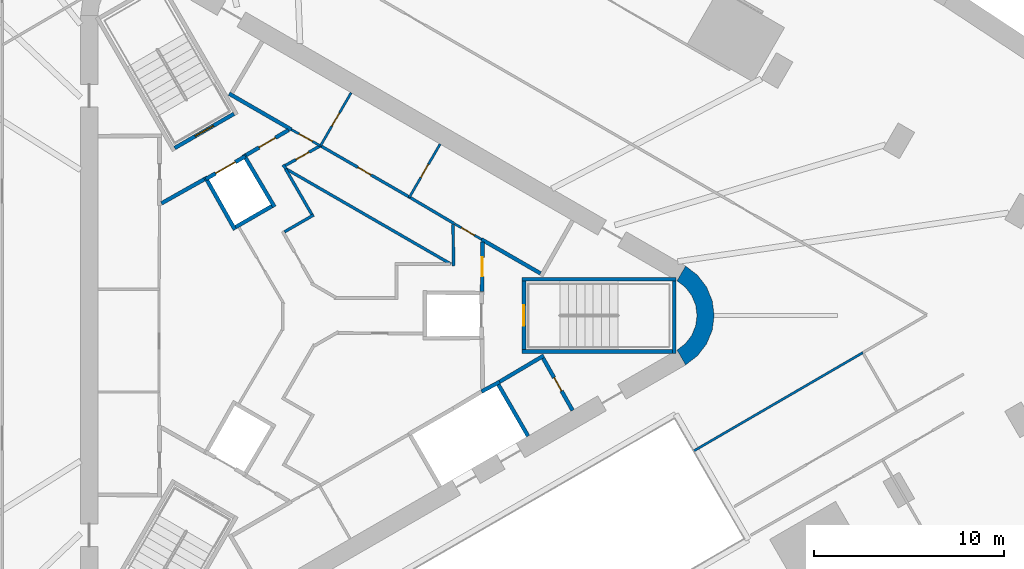
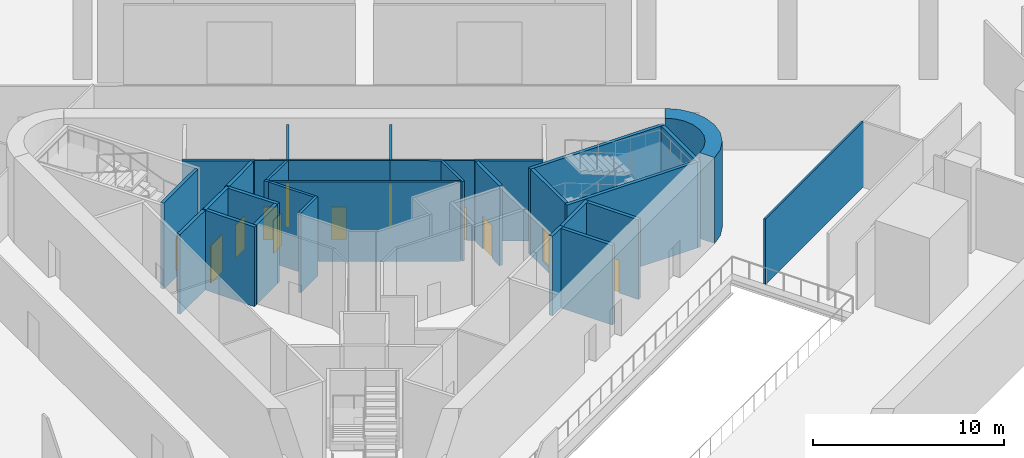
# One storey, part 7 of 13: 32 walls, 12 doors, 12 openings.
"""IFC4 building model written with IfcOpenShell, lengths in metres."""

import ifcopenshell
import ifcopenshell.guid

model = None  # the IFC model being written
_history = None  # IfcOwnerHistory: only IFC2X3 demands one
_inside = {}  # id of a spatial element -> (the spatial element, [elements in it])
_under = {}  # id of a project, library or spatial element -> (it, [spatial elements below it])
_declared = {}  # id of a project -> (the project, [libraries it declares])
_typed = {}  # id of a type object -> (the type object, [elements of that type])
_made_of = {}  # id of a material, layer set ... -> (it, [elements and type objects made of it])


def new_model(schema):
    """Start an empty IFC model of exactly this schema.

    Asked for "IFC4X3", IfcOpenShell would pick the latest addendum, in which some entities
    have other attributes; the version numbers below select the first issue.
    IFC2X3 requires an IfcOwnerHistory on every rooted entity: one is made here for all.
    """
    global model, _history
    if schema == "IFC4X3":
        model = ifcopenshell.file(schema_version=(4, 3, 0, 0))
    else:
        model = ifcopenshell.file(schema=schema)
    _inside.clear()
    _under.clear()
    _declared.clear()
    _typed.clear()
    _made_of.clear()
    _history = None
    if model.schema == "IFC2X3":
        org = make("IfcOrganization", Name="unknown")
        user = make(
            "IfcPersonAndOrganization",
            ThePerson=make("IfcPerson", FamilyName="unknown"),
            TheOrganization=org,
        )
        app = make(
            "IfcApplication",
            ApplicationDeveloper=org,
            Version="unknown",
            ApplicationFullName="unknown",
            ApplicationIdentifier="unknown",
        )
        _history = make(
            "IfcOwnerHistory",
            OwningUser=user,
            OwningApplication=app,
            ChangeAction="ADDED",
            CreationDate=0,
        )
    return model


def make(cls, **values):
    """One entity of the class cls with the attributes given. An attribute that is None is left unset."""
    return model.create_entity(
        cls, **{name: value for name, value in values.items() if value is not None}
    )


def rooted(cls, **values):
    """An entity with a GlobalId (a new one), such as an element, a storey or a relation."""
    return make(cls, GlobalId=ifcopenshell.guid.new(), OwnerHistory=_history, **values)


def si_unit(unit_type, name, prefix=None):
    """IfcSIUnit, for example si_unit("LENGTHUNIT", "METRE", prefix="MILLI")."""
    return make("IfcSIUnit", UnitType=unit_type, Prefix=prefix, Name=name)


def assignment(units):
    """IfcUnitAssignment: the units of a project."""
    return None if units is None else make("IfcUnitAssignment", Units=units)


def point(xyz):
    """IfcCartesianPoint."""
    return None if xyz is None else make("IfcCartesianPoint", Coordinates=xyz)


def direction(xyz):
    """IfcDirection."""
    return None if xyz is None else make("IfcDirection", DirectionRatios=xyz)


def frame(location, z_axis=None, x_axis=None):
    """IfcAxis2Placement3D, a coordinate frame: its origin and axes. An axis left out is left unset."""
    return make(
        "IfcAxis2Placement3D",
        Location=point(location),
        Axis=direction(z_axis),
        RefDirection=direction(x_axis),
    )


def frame_2d(location, x_axis=None):
    """IfcAxis2Placement2D, a coordinate frame in the plane: its origin and x axis."""
    return make(
        "IfcAxis2Placement2D", Location=point(location), RefDirection=direction(x_axis)
    )


def origin():
    """The frame at (0, 0, 0) with its axes left unset."""
    return frame((0.0, 0.0, 0.0))


def place(relative_to, where):
    """IfcLocalPlacement: puts the frame where relative to a parent placement (None: the world)."""
    return make(
        "IfcLocalPlacement", PlacementRelTo=relative_to, RelativePlacement=where
    )


def context(
    kind, dimensions, precision=None, world=None, true_north=None, identifier=None
):
    """IfcGeometricRepresentationContext, for example the 3D "Model" context."""
    return make(
        "IfcGeometricRepresentationContext",
        ContextIdentifier=identifier,
        ContextType=kind,
        CoordinateSpaceDimension=dimensions,
        Precision=precision,
        WorldCoordinateSystem=world,
        TrueNorth=true_north,
    )


def subcontext(parent, identifier, kind, view, scale=None):
    """IfcGeometricRepresentationSubContext, for example "Body" below "Model"."""
    return make(
        "IfcGeometricRepresentationSubContext",
        ContextIdentifier=identifier,
        ContextType=kind,
        ParentContext=parent,
        TargetScale=scale,
        TargetView=view,
    )


def project(units=None, contexts=None):
    """IfcProject with its units and contexts."""
    return rooted(
        "IfcProject",
        Name="project",
        RepresentationContexts=contexts,
        UnitsInContext=assignment(units),
    )


def spatial(cls, under=None, at=None, **own):
    """A site, building, storey or space (cls), placed at a placement, below another one or the project."""
    s = rooted(cls, ObjectPlacement=at, **own)
    if under is not None:
        _under.setdefault(under.id(), (under, []))[1].append(s)
    return s


def polyline(points):
    """IfcPolyline through the points."""
    return make("IfcPolyline", Points=[point(p) for p in points])


def profile(cls, at=None, kind="AREA", **sizes):
    """A parametric profile (cls). Its sizes go by their IFC names, for example OverallWidth=200.0."""
    return make(cls, ProfileType=kind, Position=at, **sizes)


def rectangle(**sizes):
    """IfcRectangleProfileDef."""
    return profile("IfcRectangleProfileDef", **sizes)


def outline(outer, holes=None, kind="AREA"):
    """IfcArbitraryClosedProfileDef: a profile drawn as a closed curve; with holes, ...WithVoids."""
    if holes is None:
        return make("IfcArbitraryClosedProfileDef", ProfileType=kind, OuterCurve=outer)
    return make(
        "IfcArbitraryProfileDefWithVoids",
        ProfileType=kind,
        OuterCurve=outer,
        InnerCurves=holes,
    )


def extrude(swept, where, along, depth):
    """IfcExtrudedAreaSolid: the profile swept, set in the frame where, extruded along a direction by depth."""
    return make(
        "IfcExtrudedAreaSolid",
        SweptArea=swept,
        Position=where,
        ExtrudedDirection=direction(along),
        Depth=depth,
    )


def shape(context_of_items, identifier, shape_type, items):
    """IfcShapeRepresentation: the items that make up one representation, for example the "Body"."""
    return make(
        "IfcShapeRepresentation",
        ContextOfItems=context_of_items,
        RepresentationIdentifier=identifier,
        RepresentationType=shape_type,
        Items=items,
    )


def material(Name=None, Category=None):
    """IfcMaterial."""
    return make("IfcMaterial", Name=Name, Category=Category)


def layer(
    of_material, thickness, ventilated=None, Name=None, Category=None, Priority=None
):
    """IfcMaterialLayer: one layer of a wall or slab, of a material (None: an air gap)."""
    return make(
        "IfcMaterialLayer",
        Material=of_material,
        LayerThickness=thickness,
        IsVentilated=ventilated,
        Name=Name,
        Category=Category,
        Priority=Priority,
    )


def layer_set(layers, Name=None):
    """IfcMaterialLayerSet."""
    return make("IfcMaterialLayerSet", MaterialLayers=layers, LayerSetName=Name)


def made_of(thing, what):
    """Note that an element or type object is made of a material, layer set ...; save() writes the relation."""
    if what is not None:
        _made_of.setdefault(what.id(), (what, []))[1].append(thing)
    return thing


def type_object(cls, material=None, **own):
    """A type object (cls), such as IfcWallType, which elements share."""
    return made_of(rooted(cls, **own), material)


def element(
    cls,
    number,
    at=None,
    inside=None,
    cuts=None,
    type_object=None,
    material=None,
    context=None,
    identifier="Body",
    shape_type=None,
    held_by="IfcProductDefinitionShape",
    body=None,
    shapes=None,
    **own,
):
    """One element of the class cls, such as IfcWall. Its Tag is "e" and its number.

    at: its placement. inside: the storey or other place that contains it. cuts: it is an
    opening in that element (IfcRelVoidsElement). A single representation is given by context,
    identifier, shape_type and body (its items); several are given by shapes. held_by: the class
    of the entity that holds the representations. save() writes the other relations.
    """
    e = rooted(cls, Tag="e%d" % number, ObjectPlacement=at, **own)
    if body is not None:
        shapes = [shape(context, identifier, shape_type, body)]
    if shapes is not None:
        e.Representation = make(held_by, Representations=shapes)
    if inside is not None:
        _inside.setdefault(inside.id(), (inside, []))[1].append(e)
    if cuts is not None:
        rooted(
            "IfcRelVoidsElement", RelatingBuildingElement=cuts, RelatedOpeningElement=e
        )
    if type_object is not None:
        _typed.setdefault(type_object.id(), (type_object, []))[1].append(e)
    return made_of(e, material)


def fill(opening, filler):
    """IfcRelFillsElement: the door or window that sits in an opening."""
    return rooted(
        "IfcRelFillsElement",
        RelatingOpeningElement=opening,
        RelatedBuildingElement=filler,
    )


def aggregate(whole, parts):
    """IfcRelAggregates: a whole, such as a stair, and the parts it consists of."""
    return rooted("IfcRelAggregates", RelatingObject=whole, RelatedObjects=parts)


def save(model, path):
    """Write the relations noted so far, then the file.

    IfcRelAggregates (storeys below a building ...), IfcRelContainedInSpatialStructure (elements
    in a storey), IfcRelDefinesByType, IfcRelAssociatesMaterial and IfcRelDeclares: one each for
    every whole, place, type object, material and project.
    """
    for whole, parts in _under.values():
        aggregate(whole, parts)
    for where, things in _inside.values():
        rooted(
            "IfcRelContainedInSpatialStructure",
            RelatedElements=things,
            RelatingStructure=where,
        )
    for kind, things in _typed.values():
        rooted("IfcRelDefinesByType", RelatedObjects=things, RelatingType=kind)
    for what, things in _made_of.values():
        rooted("IfcRelAssociatesMaterial", RelatedObjects=things, RelatingMaterial=what)
    for by, libraries in _declared.values():
        rooted("IfcRelDeclares", RelatingContext=by, RelatedDefinitions=libraries)
    model.write(path)


model = new_model("IFC4")

# Units and contexts
model_context = context("Model", 3, precision=1e-05, world=origin(), true_north=direction((0.0, 1.0)))
body_context = subcontext(model_context, "Body", "Model", "MODEL_VIEW")
ifc_project = project(units=[si_unit("LENGTHUNIT", "METRE"), si_unit("AREAUNIT", "SQUARE_METRE"), si_unit("VOLUMEUNIT", "CUBIC_METRE"), si_unit("PLANEANGLEUNIT", "RADIAN"), si_unit("MASSUNIT", "GRAM", prefix="KILO")], contexts=[model_context])

# Site, building, storey
site_placement = place(None, origin())
site = spatial("IfcSite", under=ifc_project, at=site_placement, CompositionType="ELEMENT")
building_placement = place(site_placement, origin())
building = spatial("IfcBuilding", under=site, at=building_placement, Name="Tanit Gate Tower", CompositionType="ELEMENT")
storey_placement = place(building_placement, frame((0.0, 0.0, -5.5)))
storey = spatial("IfcBuildingStorey", under=building, at=storey_placement, Name="B1", CompositionType="ELEMENT", Elevation=-5.5)

# Walls
ifc_material_1 = material(Name="Concrete C60/75", Category="concrete")
ifc_layer_1 = layer(ifc_material_1, 0.89990234375)
ifc_layer_set_1 = layer_set([ifc_layer_1], Name="CORE WALL 900 C60/75")
wall_type_1 = type_object("IfcWallType", Name="CORE WALL 900 C60/75", PredefinedType="SHEAR", material=ifc_layer_set_1)
wall_1_placement = place(storey_placement, origin())
element("IfcWall", 1, at=wall_1_placement, inside=storey, type_object=wall_type_1, Name="CORE WALL CORNER", PredefinedType="SHEAR", context=body_context, shape_type="SweptSolid", body=[
    extrude(outline(polyline([(19.699951171875, -2.59814453125), (20.3212890625, -2.121337890625), (20.798095703125, -1.5), (21.097900390625, -0.776611328125), (21.199951171875, 0.0), (21.097900390625, 0.776611328125), (20.798095703125, 1.5), (20.3212890625, 2.121337890625), (19.699951171875, 2.59814453125), (19.25, 1.818603515625), (19.684814453125, 1.48486328125), (20.018798828125, 1.050048828125), (20.228515625, 0.54345703125), (20.300048828125, 0.0), (20.228515625, -0.54345703125), (20.018798828125, -1.050048828125), (19.684814453125, -1.48486328125), (19.25, -1.818603515625), (19.699951171875, -2.59814453125)])), origin(), (0.0, 0.0, 1.0), 5.5),
])
ifc_material_2 = material(Name="Fire-rated gypsum board partition")
ifc_layer_2 = layer(ifc_material_2, 0.199951171875)
ifc_layer_set_2 = layer_set([ifc_layer_2], Name="INT-WALL-COMPARTMENT")
wall_type_2 = type_object("IfcWallType", Name="INT-WALL-COMPARTMENT", PredefinedType="PARTITIONING", material=ifc_layer_set_2)
wall_2_placement = place(storey_placement, frame((-4.295654296875, 11.659912109375, 0.0), z_axis=(0.0, 0.0, 1.0), x_axis=(0.866027389382, -0.499996560828, 0.0)))
element("IfcWall", 2, at=wall_2_placement, inside=storey, type_object=wall_type_2, Name="Wall Compartment W049", PredefinedType="PARTITIONING", context=body_context, shape_type="SweptSolid", body=[
    extrude(rectangle(XDim=3.77783203125, YDim=0.199951171875, at=frame_2d((1.888916015625, 0.0))), origin(), (0.0, 0.0, 1.0), 5.10009765625),
])
wall_3_placement = place(storey_placement, frame((8.97412109375, 3.998779296875, 0.0), z_axis=(0.0, 0.0, 1.0), x_axis=(0.86601284211, -0.500021756827, 0.0)))
element("IfcWall", 3, at=wall_3_placement, inside=storey, type_object=wall_type_2, Name="Wall Compartment W044", PredefinedType="PARTITIONING", context=body_context, shape_type="SweptSolid", body=[
    extrude(rectangle(XDim=3.577392578125, YDim=0.199951171875, at=frame_2d((1.78857421875, 0.0))), origin(), (0.0, 0.0, 1.0), 5.10009765625),
])
wall_4_placement = place(storey_placement, frame((12.244873046875, -2.10888671875, 0.0), z_axis=(0.0, 0.0, 1.0), x_axis=(-0.860414880418, -0.509594185166, 0.0)))
element("IfcWall", 4, at=wall_4_placement, inside=storey, type_object=wall_type_2, Name="Wall Compartment W057", PredefinedType="PARTITIONING", context=body_context, shape_type="SweptSolid", body=[
    extrude(rectangle(XDim=2.7001953125, YDim=0.199951171875, at=frame_2d((1.35009765625, 0.0))), origin(), (0.0, 0.0, 1.0), 5.10009765625),
])

# Wall, opening, door
wall_5_placement = place(storey_placement, frame((13.758056640625, -4.989501953125, 0.0), z_axis=(0.0, 0.0, 1.0), x_axis=(-0.491993409184, 0.87059892334, 0.0)))
wall_5 = element("IfcWall", 5, at=wall_5_placement, inside=storey, type_object=wall_type_2, Name="Wall Compartment W058", PredefinedType="PARTITIONING", context=body_context, shape_type="SweptSolid", body=[
    extrude(rectangle(XDim=3.150146484375, YDim=0.199951171875, at=frame_2d((1.5751953125, 0.0))), origin(), (0.0, 0.0, 1.0), 5.10009765625),
])
opening_1_placement = place(wall_5_placement, frame((1.175048828125, 0.0, 0.0)))
opening_1 = element("IfcOpeningElement", 6, at=opening_1_placement, cuts=wall_5, Name="Opening R08-B1-22", PredefinedType="OPENING", context=body_context, shape_type="SweptSolid", body=[
    extrude(rectangle(XDim=0.800048828125, YDim=2.10009765625, at=frame_2d((0.39990234375, 1.050048828125))), frame((0.0, 0.10986328125, 0.0), z_axis=(0.0, -1.0, 0.0), x_axis=(1.0, 0.0, 0.0)), (0.0, 0.0, 1.0), 0.219970703125),
])
ifc_material_3 = material(Name="Timber door leaf", Category="wood")
door_type_1 = type_object("IfcDoorType", Name="INT-DOOR-RISER-800", OperationType="NOTDEFINED", PredefinedType="USERDEFINED", material=ifc_material_3)
door_1_placement = place(opening_1_placement, origin())
door_1 = element("IfcDoor", 7, at=door_1_placement, inside=storey, type_object=door_type_1, Name="Door R08-B1-22", ObjectType="FIRE DOOR", OperationType="SINGLE_SWING_RIGHT", OverallHeight=2.10009765625, OverallWidth=0.800048828125, PredefinedType="USERDEFINED", context=body_context, shape_type="SweptSolid", body=[
    extrude(rectangle(XDim=0.800048828125, YDim=2.10009765625, at=frame_2d((0.39990234375, 1.050048828125))), frame((0.0, 0.02490234375, 0.0), z_axis=(0.0, -1.0, 0.0), x_axis=(1.0, 0.0, 0.0)), (0.0, 0.0, 1.0), 0.050048828125),
])
fill(opening_1, door_1)

wall_6_placement = place(storey_placement, frame((9.0009765625, 1.27001953125, 0.0), z_axis=(0.0, 0.0, 1.0), x_axis=(0.010780534828, 0.999941888346, 0.0)))
wall_6 = element("IfcWall", 8, at=wall_6_placement, inside=storey, type_object=wall_type_2, Name="Wall Compartment W060", PredefinedType="PARTITIONING", context=body_context, shape_type="SweptSolid", body=[
    extrude(rectangle(XDim=2.581787109375, YDim=0.199951171875, at=frame_2d((1.291015625, 0.0))), origin(), (0.0, 0.0, 1.0), 5.10009765625),
])
opening_2_placement = place(wall_6_placement, frame((0.791015625, 0.0, 0.0)))
opening_2 = element("IfcOpeningElement", 9, at=opening_2_placement, cuts=wall_6, Name="Opening F10-B1-02", PredefinedType="OPENING", context=body_context, shape_type="SweptSolid", body=[
    extrude(rectangle(XDim=1.0, YDim=2.10009765625, at=frame_2d((0.5, 1.050048828125))), frame((0.0, 0.10986328125, 0.0), z_axis=(0.0, -1.0, 0.0), x_axis=(1.0, 0.0, 0.0)), (0.0, 0.0, 1.0), 0.219970703125),
])
ifc_material_4 = material(Name="Fire-rated steel door leaf", Category="steel")
door_type_2 = type_object("IfcDoorType", Name="INT-DOOR-FIRE-1000", OperationType="NOTDEFINED", PredefinedType="USERDEFINED", material=ifc_material_4)
door_2_placement = place(opening_2_placement, origin())
door_2 = element("IfcDoor", 10, at=door_2_placement, inside=storey, type_object=door_type_2, Name="Door F10-B1-02", ObjectType="FIRE DOOR", OperationType="SINGLE_SWING_RIGHT", OverallHeight=2.10009765625, OverallWidth=1.0, PredefinedType="USERDEFINED", context=body_context, shape_type="SweptSolid", body=[
    extrude(rectangle(XDim=1.0, YDim=2.10009765625, at=frame_2d((0.5, 1.050048828125))), frame((0.0, 0.02490234375, 0.0), z_axis=(0.0, -1.0, 0.0), x_axis=(1.0, 0.0, 0.0)), (0.0, 0.0, 1.0), 0.050048828125),
])
fill(opening_2, door_2)

# Wall
wall_7_placement = place(storey_placement, frame((-5.600341796875, 7.16015625, 0.0), z_axis=(0.0, 0.0, 1.0), x_axis=(-0.871350695252, -0.490660744185, 0.0)))
element("IfcWall", 11, at=wall_7_placement, inside=storey, type_object=wall_type_2, Name="Wall Compartment W061", PredefinedType="PARTITIONING", context=body_context, shape_type="SweptSolid", body=[
    extrude(rectangle(XDim=2.58203125, YDim=0.199951171875, at=frame_2d((1.291015625, 0.0))), origin(), (0.0, 0.0, 1.0), 5.10009765625),
])

# Wall, opening, door
wall_8_placement = place(storey_placement, frame((-1.1787109375, 9.744873046875, 0.0), z_axis=(0.0, 0.0, 1.0), x_axis=(-0.860630814782, -0.509229418482, 0.0)))
wall_8 = element("IfcWall", 12, at=wall_8_placement, inside=storey, type_object=wall_type_2, Name="Wall Compartment W062", PredefinedType="PARTITIONING", context=body_context, shape_type="SweptSolid", body=[
    extrude(rectangle(XDim=2.581787109375, YDim=0.199951171875, at=frame_2d((1.291015625, 0.0))), origin(), (0.0, 0.0, 1.0), 5.10009765625),
])
opening_3_placement = place(wall_8_placement, frame((0.791015625, 0.0, 0.0)))
opening_3 = element("IfcOpeningElement", 13, at=opening_3_placement, cuts=wall_8, Name="Opening F10-B1-05", PredefinedType="OPENING", context=body_context, shape_type="SweptSolid", body=[
    extrude(rectangle(XDim=1.0, YDim=2.10009765625, at=frame_2d((0.5, 1.050048828125))), frame((0.0, 0.10986328125, 0.0), z_axis=(0.0, -1.0, 0.0), x_axis=(1.0, 0.0, 0.0)), (0.0, 0.0, 1.0), 0.219970703125),
])
door_3_placement = place(opening_3_placement, origin())
door_3 = element("IfcDoor", 14, at=door_3_placement, inside=storey, type_object=door_type_2, Name="Door F10-B1-05", ObjectType="FIRE DOOR", OperationType="SINGLE_SWING_RIGHT", OverallHeight=2.10009765625, OverallWidth=1.0, PredefinedType="USERDEFINED", context=body_context, shape_type="SweptSolid", body=[
    extrude(rectangle(XDim=1.0, YDim=2.10009765625, at=frame_2d((0.5, 1.050048828125))), frame((0.0, 0.02490234375, 0.0), z_axis=(0.0, -1.0, 0.0), x_axis=(1.0, 0.0, 0.0)), (0.0, 0.0, 1.0), 0.050048828125),
])
fill(opening_3, door_3)

ifc_material_5 = material(Name="Gypsum board partition")
ifc_layer_3 = layer(ifc_material_5, 0.1201171875)
ifc_layer_set_3 = layer_set([ifc_layer_3], Name="INT-WALL-PARTITION")
wall_type_3 = type_object("IfcWallType", Name="INT-WALL-PARTITION", PredefinedType="PARTITIONING", material=ifc_layer_set_3)
wall_9_placement = place(storey_placement, frame((6.795166015625, 9.009521484375, 0.0), z_axis=(0.0, 0.0, 1.0), x_axis=(-0.499984717929, -0.866034226713, 0.0)))
wall_9 = element("IfcWall", 15, at=wall_9_placement, inside=storey, type_object=wall_type_3, Name="Wall Partition W042", PredefinedType="PARTITIONING", context=body_context, shape_type="SweptSolid", body=[
    extrude(rectangle(XDim=3.25, YDim=0.1201171875, at=frame_2d((1.625, 0.0))), origin(), (0.0, 0.0, 1.0), 5.10009765625),
])
opening_4_placement = place(wall_9_placement, frame((1.22509765625, 0.0, 0.0)))
opening_4 = element("IfcOpeningElement", 16, at=opening_4_placement, cuts=wall_9, Name="Opening R08-B1-48", PredefinedType="OPENING", context=body_context, shape_type="SweptSolid", body=[
    extrude(rectangle(XDim=0.800048828125, YDim=2.10009765625, at=frame_2d((0.39990234375, 1.050048828125))), frame((0.0, 0.070068359375, 0.0), z_axis=(0.0, -1.0, 0.0), x_axis=(1.0, 0.0, 0.0)), (0.0, 0.0, 1.0), 0.14013671875),
])
door_4_placement = place(opening_4_placement, origin())
door_4 = element("IfcDoor", 17, at=door_4_placement, inside=storey, type_object=door_type_1, Name="Door R08-B1-48", ObjectType="FIRE DOOR", OperationType="SINGLE_SWING_RIGHT", OverallHeight=2.10009765625, OverallWidth=0.800048828125, PredefinedType="USERDEFINED", context=body_context, shape_type="SweptSolid", body=[
    extrude(rectangle(XDim=0.800048828125, YDim=2.10009765625, at=frame_2d((0.39990234375, 1.050048828125))), frame((0.0, 0.02490234375, 0.0), z_axis=(0.0, -1.0, 0.0), x_axis=(1.0, 0.0, 0.0)), (0.0, 0.0, 1.0), 0.050048828125),
])
fill(opening_4, door_4)

wall_10_placement = place(storey_placement, frame((7.550048828125, 4.82080078125, 0.0), z_axis=(0.0, 0.0, 1.0), x_axis=(0.866069384335, -0.499923815713, 0.0)))
wall_10 = element("IfcWall", 18, at=wall_10_placement, inside=storey, type_object=wall_type_3, Name="Wall Partition W046", PredefinedType="PARTITIONING", context=body_context, shape_type="SweptSolid", body=[
    extrude(rectangle(XDim=1.644287109375, YDim=0.1201171875, at=frame_2d((0.822265625, 0.0))), origin(), (0.0, 0.0, 1.0), 5.10009765625),
])
opening_5_placement = place(wall_10_placement, frame((0.422119140625, 0.0, 0.0)))
opening_5 = element("IfcOpeningElement", 19, at=opening_5_placement, cuts=wall_10, Name="Opening R08-B1-17", PredefinedType="OPENING", context=body_context, shape_type="SweptSolid", body=[
    extrude(rectangle(XDim=0.800048828125, YDim=2.10009765625, at=frame_2d((0.39990234375, 1.050048828125))), frame((0.0, 0.070068359375, 0.0), z_axis=(0.0, -1.0, 0.0), x_axis=(1.0, 0.0, 0.0)), (0.0, 0.0, 1.0), 0.14013671875),
])
door_5_placement = place(opening_5_placement, origin())
door_5 = element("IfcDoor", 20, at=door_5_placement, inside=storey, type_object=door_type_1, Name="Door R08-B1-17", ObjectType="FIRE DOOR", OperationType="SINGLE_SWING_LEFT", OverallHeight=2.10009765625, OverallWidth=0.800048828125, PredefinedType="USERDEFINED", context=body_context, shape_type="SweptSolid", body=[
    extrude(rectangle(XDim=0.800048828125, YDim=2.10009765625, at=frame_2d((0.39990234375, 1.050048828125))), frame((0.0, 0.02490234375, 0.0), z_axis=(0.0, -1.0, 0.0), x_axis=(1.0, 0.0, 0.0)), (0.0, 0.0, 1.0), 0.050048828125),
])
fill(opening_5, door_5)

wall_11_placement = place(storey_placement, frame((2.11865234375, 11.70947265625, 0.0), z_axis=(0.0, 0.0, 1.0), x_axis=(-0.500017246033, -0.866015446554, 0.0)))
wall_11 = element("IfcWall", 21, at=wall_11_placement, inside=storey, type_object=wall_type_3, Name="Wall Partition W047", PredefinedType="PARTITIONING", context=body_context, shape_type="SweptSolid", body=[
    extrude(rectangle(XDim=3.25, YDim=0.1201171875, at=frame_2d((1.625, 0.0))), origin(), (0.0, 0.0, 1.0), 5.10009765625),
])
opening_6_placement = place(wall_11_placement, frame((1.22509765625, 0.0, 0.0)))
opening_6 = element("IfcOpeningElement", 22, at=opening_6_placement, cuts=wall_11, Name="Opening R08-B1-18", PredefinedType="OPENING", context=body_context, shape_type="SweptSolid", body=[
    extrude(rectangle(XDim=0.800048828125, YDim=2.10009765625, at=frame_2d((0.39990234375, 1.050048828125))), frame((0.0, 0.070068359375, 0.0), z_axis=(0.0, -1.0, 0.0), x_axis=(1.0, 0.0, 0.0)), (0.0, 0.0, 1.0), 0.14013671875),
])
door_6_placement = place(opening_6_placement, origin())
door_6 = element("IfcDoor", 23, at=door_6_placement, inside=storey, type_object=door_type_1, Name="Door R08-B1-18", ObjectType="FIRE DOOR", OperationType="SINGLE_SWING_RIGHT", OverallHeight=2.10009765625, OverallWidth=0.800048828125, PredefinedType="USERDEFINED", context=body_context, shape_type="SweptSolid", body=[
    extrude(rectangle(XDim=0.800048828125, YDim=2.10009765625, at=frame_2d((0.39990234375, 1.050048828125))), frame((0.0, 0.02490234375, 0.0), z_axis=(0.0, -1.0, 0.0), x_axis=(1.0, 0.0, 0.0)), (0.0, 0.0, 1.0), 0.050048828125),
])
fill(opening_6, door_6)

wall_12_placement = place(storey_placement, frame((-1.023681640625, 9.771728515625, 0.0), z_axis=(0.0, 0.0, 1.0), x_axis=(0.871968924608, -0.489561226527, 0.0)))
wall_12 = element("IfcWall", 24, at=wall_12_placement, inside=storey, type_object=wall_type_3, Name="Wall Partition W051", PredefinedType="PARTITIONING", context=body_context, shape_type="SweptSolid", body=[
    extrude(rectangle(XDim=1.722412109375, YDim=0.1201171875, at=frame_2d((0.861328125, 0.0))), origin(), (0.0, 0.0, 1.0), 5.10009765625),
])
opening_7_placement = place(wall_12_placement, frame((0.461181640625, 0.0, 0.0)))
opening_7 = element("IfcOpeningElement", 25, at=opening_7_placement, cuts=wall_12, Name="Opening R08-B1-19", PredefinedType="OPENING", context=body_context, shape_type="SweptSolid", body=[
    extrude(rectangle(XDim=0.800048828125, YDim=2.10009765625, at=frame_2d((0.39990234375, 1.050048828125))), frame((0.0, 0.070068359375, 0.0), z_axis=(0.0, -1.0, 0.0), x_axis=(1.0, 0.0, 0.0)), (0.0, 0.0, 1.0), 0.14013671875),
])
door_7_placement = place(opening_7_placement, origin())
door_7 = element("IfcDoor", 26, at=door_7_placement, inside=storey, type_object=door_type_1, Name="Door R08-B1-19", ObjectType="FIRE DOOR", OperationType="SINGLE_SWING_RIGHT", OverallHeight=2.10009765625, OverallWidth=0.800048828125, PredefinedType="USERDEFINED", context=body_context, shape_type="SweptSolid", body=[
    extrude(rectangle(XDim=0.800048828125, YDim=2.10009765625, at=frame_2d((0.39990234375, 1.050048828125))), frame((0.0, 0.02490234375, 0.0), z_axis=(0.0, -1.0, 0.0), x_axis=(1.0, 0.0, 0.0)), (0.0, 0.0, 1.0), 0.050048828125),
])
fill(opening_7, door_7)

# Walls
wall_13_placement = place(storey_placement, frame((20.11474609375, -7.127685546875, 0.0), z_axis=(0.0, 0.0, 1.0), x_axis=(0.864567321734, 0.502517010847, 0.0)))
element("IfcWall", 27, at=wall_13_placement, inside=storey, type_object=wall_type_3, Name="Wall Partition W088", PredefinedType="PARTITIONING", context=body_context, shape_type="SweptSolid", body=[
    extrude(rectangle(XDim=10.29638671875, YDim=0.1201171875, at=frame_2d((5.148193359375, 0.0))), origin(), (0.0, 0.0, 1.0), 4.179931640625),
])
ifc_material_6 = material(Name="Fire-rated gypsum board partition")
ifc_layer_4 = layer(ifc_material_6, 0.14990234375)
ifc_layer_set_4 = layer_set([ifc_layer_4], Name="INT-WALL-RISER")
wall_type_4 = type_object("IfcWallType", Name="INT-WALL-RISER", PredefinedType="PLUMBINGWALL", material=ifc_layer_set_4)
wall_14_placement = place(storey_placement, frame((5.1591796875, 6.23583984375, 0.0), z_axis=(0.0, 0.0, 1.0), x_axis=(0.860550523279, -0.509365091938, 0.0)))
element("IfcWall", 28, at=wall_14_placement, inside=storey, type_object=wall_type_4, Name="Wall Riser W045", PredefinedType="PLUMBINGWALL", context=body_context, shape_type="SweptSolid", body=[
    extrude(rectangle(XDim=2.755126953125, YDim=0.14990234375, at=frame_2d((1.37744140625, 0.0))), origin(), (0.0, 0.0, 1.0), 5.10009765625),
])

# Wall, opening, door
wall_15_placement = place(storey_placement, frame((5.1591796875, 6.23583984375, 0.0), z_axis=(0.0, 0.0, 1.0), x_axis=(-0.866028230842, 0.499995103361, 0.0)))
wall_15 = element("IfcWall", 29, at=wall_15_placement, inside=storey, type_object=wall_type_4, Name="Wall Riser W048", PredefinedType="PLUMBINGWALL", context=body_context, shape_type="SweptSolid", body=[
    extrude(rectangle(XDim=5.39990234375, YDim=0.14990234375, at=frame_2d((2.699951171875, 0.0))), origin(), (0.0, 0.0, 1.0), 5.10009765625),
])
opening_8_placement = place(wall_15_placement, frame((2.300048828125, 0.0, 0.0)))
opening_8 = element("IfcOpeningElement", 30, at=opening_8_placement, cuts=wall_15, Name="Opening R08-B1-23", PredefinedType="OPENING", context=body_context, shape_type="SweptSolid", body=[
    extrude(rectangle(XDim=0.800048828125, YDim=2.10009765625, at=frame_2d((0.39990234375, 1.050048828125))), frame((0.0, 0.0849609375, 0.0), z_axis=(0.0, -1.0, 0.0), x_axis=(1.0, 0.0, 0.0)), (0.0, 0.0, 1.0), 0.169921875),
])
door_8_placement = place(opening_8_placement, origin())
door_8 = element("IfcDoor", 31, at=door_8_placement, inside=storey, type_object=door_type_1, Name="Door R08-B1-23", ObjectType="FIRE DOOR", OperationType="SINGLE_SWING_RIGHT", OverallHeight=2.10009765625, OverallWidth=0.800048828125, PredefinedType="USERDEFINED", context=body_context, shape_type="SweptSolid", body=[
    extrude(rectangle(XDim=0.800048828125, YDim=2.10009765625, at=frame_2d((0.39990234375, 1.050048828125))), frame((0.0, 0.02490234375, 0.0), z_axis=(0.0, -1.0, 0.0), x_axis=(1.0, 0.0, 0.0)), (0.0, 0.0, 1.0), 0.050048828125),
])
fill(opening_8, door_8)

# Walls
wall_16_placement = place(storey_placement, frame((7.36669921875, 2.699951171875, 0.0), z_axis=(0.0, 0.0, 1.0), x_axis=(-0.866027158831, 0.499996960157, 0.0)))
element("IfcWall", 32, at=wall_16_placement, inside=storey, type_object=wall_type_4, Name="Wall Riser W074", PredefinedType="PLUMBINGWALL", context=body_context, shape_type="SweptSolid", body=[
    extrude(rectangle(XDim=10.0595703125, YDim=0.14990234375, at=frame_2d((5.02978515625, 0.0))), origin(), (0.0, 0.0, 1.0), 5.10009765625),
])
wall_17_placement = place(storey_placement, frame((-1.465087890625, 7.9140625, 0.0), z_axis=(0.0, 0.0, 1.0), x_axis=(0.613555553277, -0.789651557994, 0.0)))
element("IfcWall", 33, at=wall_17_placement, inside=storey, type_object=wall_type_4, Name="Wall Riser W075", PredefinedType="PLUMBINGWALL", context=body_context, shape_type="SweptSolid", body=[
    extrude(rectangle(XDim=0.263427734375, YDim=0.14990234375, at=frame_2d((0.1318359375, 0.0))), origin(), (0.0, 0.0, 1.0), 5.10009765625),
])

# Wall, opening, door
wall_18_placement = place(storey_placement, frame((0.475341796875, 8.9052734375, 0.0), z_axis=(0.0, 0.0, 1.0), x_axis=(-0.871859457225, -0.489756150392, 0.0)))
wall_18 = element("IfcWall", 34, at=wall_18_placement, inside=storey, type_object=wall_type_4, Name="Wall Riser W076", PredefinedType="PLUMBINGWALL", context=body_context, shape_type="SweptSolid", body=[
    extrude(rectangle(XDim=2.088623046875, YDim=0.14990234375, at=frame_2d((1.04443359375, 0.0))), origin(), (0.0, 0.0, 1.0), 5.10009765625),
])
opening_9_placement = place(wall_18_placement, frame((0.644287109375, 0.0, 0.0)))
opening_9 = element("IfcOpeningElement", 35, at=opening_9_placement, cuts=wall_18, Name="Opening R08-B1-12", PredefinedType="OPENING", context=body_context, shape_type="SweptSolid", body=[
    extrude(rectangle(XDim=0.800048828125, YDim=2.10009765625, at=frame_2d((0.39990234375, 1.050048828125))), frame((0.0, 0.0849609375, 0.0), z_axis=(0.0, -1.0, 0.0), x_axis=(1.0, 0.0, 0.0)), (0.0, 0.0, 1.0), 0.169921875),
])
door_9_placement = place(opening_9_placement, origin())
door_9 = element("IfcDoor", 36, at=door_9_placement, inside=storey, type_object=door_type_1, Name="Door R08-B1-12", ObjectType="FIRE DOOR", OperationType="SINGLE_SWING_LEFT", OverallHeight=2.10009765625, OverallWidth=0.800048828125, PredefinedType="USERDEFINED", context=body_context, shape_type="SweptSolid", body=[
    extrude(rectangle(XDim=0.800048828125, YDim=2.10009765625, at=frame_2d((0.39990234375, 1.050048828125))), frame((0.0, 0.02490234375, 0.0), z_axis=(0.0, -1.0, 0.0), x_axis=(1.0, 0.0, 0.0)), (0.0, 0.0, 1.0), 0.050048828125),
])
fill(opening_9, door_9)

# Walls
wall_19_placement = place(storey_placement, frame((7.5009765625, 2.613037109375, 0.0), z_axis=(0.0, 0.0, 1.0), x_axis=(-0.011734691853, 0.999931146133, 0.0)))
element("IfcWall", 37, at=wall_19_placement, inside=storey, type_object=wall_type_4, Name="Wall Riser W077", PredefinedType="PLUMBINGWALL", context=body_context, shape_type="SweptSolid", body=[
    extrude(rectangle(XDim=2.163818359375, YDim=0.14990234375, at=frame_2d((1.08203125, 0.0))), origin(), (0.0, 0.0, 1.0), 5.10009765625),
])
wall_20_placement = place(storey_placement, frame((0.1533203125, 5.28466796875, 0.0), z_axis=(0.0, 0.0, 1.0), x_axis=(-0.866059624469, -0.499940723351, 0.0)))
element("IfcWall", 38, at=wall_20_placement, inside=storey, type_object=wall_type_4, Name="Wall Riser W084", PredefinedType="PLUMBINGWALL", context=body_context, shape_type="SweptSolid", body=[
    extrude(rectangle(XDim=1.775146484375, YDim=0.14990234375, at=frame_2d((0.8876953125, 0.0))), origin(), (0.0, 0.0, 1.0), 5.10009765625),
])
wall_21_placement = place(storey_placement, frame((-1.330078125, 7.703857421875, 0.0), z_axis=(0.0, 0.0, 1.0), x_axis=(0.499980071345, -0.866036909293, 0.0)))
element("IfcWall", 39, at=wall_21_placement, inside=storey, type_object=wall_type_4, Name="Wall Riser W085", PredefinedType="PLUMBINGWALL", context=body_context, shape_type="SweptSolid", body=[
    extrude(rectangle(XDim=2.76171875, YDim=0.14990234375, at=frame_2d((1.380859375, 0.0))), origin(), (0.0, 0.0, 1.0), 5.10009765625),
])
ifc_material_7 = material(Name="Gypsum shaft wall system")
ifc_layer_5 = layer(ifc_material_7, 0.199951171875)
ifc_layer_set_5 = layer_set([ifc_layer_5], Name="INT-WALL-SHAFT")
wall_type_5 = type_object("IfcWallType", Name="INT-WALL-SHAFT", PredefinedType="PLUMBINGWALL", material=ifc_layer_set_5)
wall_22_placement = place(storey_placement, frame((9.794677734375, -3.52490234375, 0.0), z_axis=(0.0, 0.0, 1.0), x_axis=(0.499984717929, -0.866034226713, 0.0)))
element("IfcWall", 40, at=wall_22_placement, inside=storey, type_object=wall_type_5, Name="Wall Shaft W003", PredefinedType="PLUMBINGWALL", context=body_context, shape_type="SweptSolid", body=[
    extrude(rectangle(XDim=3.25, YDim=0.199951171875, at=frame_2d((1.625, 0.0))), origin(), (0.0, 0.0, 1.0), 5.10009765625),
])
wall_23_placement = place(storey_placement, frame((8.97412109375, -3.998779296875, 0.0), z_axis=(0.0, 0.0, 1.0), x_axis=(0.880907015104, 0.473289373154, 0.0)))
element("IfcWall", 41, at=wall_23_placement, inside=storey, type_object=wall_type_5, Name="Wall Shaft W004", PredefinedType="PLUMBINGWALL", context=body_context, shape_type="SweptSolid", body=[
    extrude(rectangle(XDim=1.078125, YDim=0.199951171875, at=frame_2d((0.5390625, 0.0))), origin(), (0.0, 0.0, 1.0), 5.10009765625),
])

# Wall, opening, door
wall_24_placement = place(storey_placement, frame((-5.524169921875, 7.168212890625, 0.0), z_axis=(0.0, 0.0, 1.0), x_axis=(0.866024647952, 0.500001309137, 0.0)))
wall_24 = element("IfcWall", 42, at=wall_24_placement, inside=storey, type_object=wall_type_5, Name="Wall Shaft W019", PredefinedType="PLUMBINGWALL", context=body_context, shape_type="SweptSolid", body=[
    extrude(rectangle(XDim=2.39990234375, YDim=0.199951171875, at=frame_2d((1.199951171875, 0.0))), origin(), (0.0, 0.0, 1.0), 5.10009765625),
])
opening_10_placement = place(wall_24_placement, frame((0.60009765625, 0.0, 0.0)))
opening_10 = element("IfcOpeningElement", 43, at=opening_10_placement, cuts=wall_24, Name="Opening LDFL2-B1", PredefinedType="OPENING", context=body_context, shape_type="SweptSolid", body=[
    extrude(rectangle(XDim=1.199951171875, YDim=2.39990234375, at=frame_2d((0.60009765625, 1.199951171875))), frame((0.0, 0.10986328125, 0.0), z_axis=(0.0, -1.0, 0.0), x_axis=(1.0, 0.0, 0.0)), (0.0, 0.0, 1.0), 0.219970703125),
])
ifc_material_8 = material(Name="Stainless steel sliding door leaf", Category="steel")
door_type_3 = type_object("IfcDoorType", Name="INT-DOOR-LANDING-1200", OperationType="NOTDEFINED", PredefinedType="USERDEFINED", material=ifc_material_8)
door_10_placement = place(opening_10_placement, origin())
door_10 = element("IfcDoor", 44, at=door_10_placement, inside=storey, type_object=door_type_3, Name="Door LDFL2-B1", ObjectType="LANDING DOOR", OperationType="SLIDING_TO_LEFT", OverallHeight=2.39990234375, OverallWidth=1.199951171875, PredefinedType="USERDEFINED", context=body_context, shape_type="SweptSolid", body=[
    extrude(rectangle(XDim=1.199951171875, YDim=2.39990234375, at=frame_2d((0.60009765625, 1.199951171875))), frame((0.0, 0.02490234375, 0.0), z_axis=(0.0, -1.0, 0.0), x_axis=(1.0, 0.0, 0.0)), (0.0, 0.0, 1.0), 0.050048828125),
])
fill(opening_10, door_10)

# Walls
wall_25_placement = place(storey_placement, frame((-2.04736328125, 5.74609375, 0.0), z_axis=(0.0, 0.0, 1.0), x_axis=(-0.86605622881, -0.499946605688, 0.0)))
element("IfcWall", 45, at=wall_25_placement, inside=storey, type_object=wall_type_5, Name="Wall Shaft W023", PredefinedType="PLUMBINGWALL", context=body_context, shape_type="SweptSolid", body=[
    extrude(rectangle(XDim=2.199951171875, YDim=0.199951171875, at=frame_2d((1.10009765625, 0.0))), origin(), (0.0, 0.0, 1.0), 5.10009765625),
])
wall_26_placement = place(storey_placement, frame((-3.989990234375, 4.509033203125, 0.0), z_axis=(0.0, 0.0, 1.0), x_axis=(-0.491358283181, 0.870957540612, 0.0)))
element("IfcWall", 46, at=wall_26_placement, inside=storey, type_object=wall_type_5, Name="Wall Shaft W021", PredefinedType="PLUMBINGWALL", context=body_context, shape_type="SweptSolid", body=[
    extrude(rectangle(XDim=3.200439453125, YDim=0.199951171875, at=frame_2d((1.60009765625, 0.0))), origin(), (0.0, 0.0, 1.0), 5.10009765625),
])
wall_27_placement = place(storey_placement, frame((-3.53759765625, 8.46533203125, 0.0), z_axis=(0.0, 0.0, 1.0), x_axis=(0.508616218331, -0.860993346345, 0.0)))
element("IfcWall", 47, at=wall_27_placement, inside=storey, type_object=wall_type_5, Name="Wall Shaft W022", PredefinedType="PLUMBINGWALL", context=body_context, shape_type="SweptSolid", body=[
    extrude(rectangle(XDim=3.2001953125, YDim=0.199951171875, at=frame_2d((1.60009765625, 0.0))), origin(), (0.0, 0.0, 1.0), 5.10009765625),
])
ifc_material_9 = material(Name="Concrete C40/50", Category="concrete")
ifc_layer_6 = layer(ifc_material_9, 0.199951171875)
ifc_layer_set_6 = layer_set([ifc_layer_6], Name="INT-WALL-STAIR")
wall_type_6 = type_object("IfcWallType", Name="INT-WALL-STAIR", PredefinedType="SHEAR", material=ifc_layer_set_6)
wall_28_placement = place(storey_placement, frame((19.199951171875, 1.89990234375, -0.39990234375), z_axis=(0.0, 0.0, 1.0), x_axis=(-1.0, 0.0, 0.0)))
element("IfcWall", 48, at=wall_28_placement, inside=storey, type_object=wall_type_6, Name="Wall Stair W006", PredefinedType="SHEAR", context=body_context, shape_type="SweptSolid", body=[
    extrude(rectangle(XDim=8.099853515625, YDim=0.199951171875, at=frame_2d((4.0498046875, 0.0))), origin(), (0.0, 0.0, 1.0), 5.5),
])
wall_29_placement = place(storey_placement, frame((19.10009765625, -2.0, -0.39990234375), z_axis=(0.0, 0.0, 1.0), x_axis=(0.0, 1.0, 0.0)))
element("IfcWall", 49, at=wall_29_placement, inside=storey, type_object=wall_type_6, Name="Wall Stair W007", PredefinedType="SHEAR", context=body_context, shape_type="SweptSolid", body=[
    extrude(rectangle(XDim=3.800048828125, YDim=0.199951171875, at=frame_2d((1.89990234375, 0.0))), origin(), (0.0, 0.0, 1.0), 5.5),
])
wall_30_placement = place(storey_placement, frame((11.10009765625, -1.89990234375, -0.39990234375), z_axis=(0.0, 0.0, 1.0), x_axis=(1.0, 0.0, 0.0)))
element("IfcWall", 50, at=wall_30_placement, inside=storey, type_object=wall_type_6, Name="Wall Stair W008", PredefinedType="SHEAR", context=body_context, shape_type="SweptSolid", body=[
    extrude(rectangle(XDim=7.89990234375, YDim=0.199951171875, at=frame_2d((3.949951171875, 0.0))), origin(), (0.0, 0.0, 1.0), 5.5),
])

# Wall, opening, door
wall_31_placement = place(storey_placement, frame((11.199951171875, -1.800048828125, -0.39990234375), z_axis=(0.0, 0.0, 1.0), x_axis=(0.0, 1.0, 0.0)))
wall_31 = element("IfcWall", 51, at=wall_31_placement, inside=storey, type_object=wall_type_6, Name="Wall Stair W009", PredefinedType="SHEAR", context=body_context, shape_type="SweptSolid", body=[
    extrude(rectangle(XDim=3.60009765625, YDim=0.199951171875, at=frame_2d((1.800048828125, 0.0))), origin(), (0.0, 0.0, 1.0), 5.5),
])
opening_11_placement = place(wall_31_placement, frame((1.25, 0.0, 0.39990234375)))
opening_11 = element("IfcOpeningElement", 52, at=opening_11_placement, cuts=wall_31, Name="Opening S11-B1-01", PredefinedType="OPENING", context=body_context, shape_type="SweptSolid", body=[
    extrude(rectangle(XDim=1.10009765625, YDim=2.10009765625, at=frame_2d((0.550048828125, 1.050048828125))), frame((0.0, 0.10986328125, 0.0), z_axis=(0.0, -1.0, 0.0), x_axis=(1.0, 0.0, 0.0)), (0.0, 0.0, 1.0), 0.219970703125),
])
ifc_material_10 = material(Name="Timber door leaf", Category="wood")
door_type_4 = type_object("IfcDoorType", Name="INT-DOOR-STAIR-1100", OperationType="NOTDEFINED", PredefinedType="USERDEFINED", material=ifc_material_10)
door_11_placement = place(opening_11_placement, origin())
door_11 = element("IfcDoor", 53, at=door_11_placement, inside=storey, type_object=door_type_4, Name="Door S11-B1-01", ObjectType="FIRE DOOR", OperationType="SINGLE_SWING_LEFT", OverallHeight=2.10009765625, OverallWidth=1.10009765625, PredefinedType="USERDEFINED", context=body_context, shape_type="SweptSolid", body=[
    extrude(rectangle(XDim=1.10009765625, YDim=2.10009765625, at=frame_2d((0.550048828125, 1.050048828125))), frame((0.0, 0.02490234375, 0.0), z_axis=(0.0, -1.0, 0.0), x_axis=(1.0, 0.0, 0.0)), (0.0, 0.0, 1.0), 0.050048828125),
])
fill(opening_11, door_11)

wall_32_placement = place(storey_placement, frame((-7.158935546875, 8.799560546875, -0.39990234375), z_axis=(0.0, 0.0, 1.0), x_axis=(0.866047807691, 0.499961193289, 0.0)))
wall_32 = element("IfcWall", 54, at=wall_32_placement, inside=storey, type_object=wall_type_6, Name="Wall Stair W018", PredefinedType="SHEAR", context=body_context, shape_type="SweptSolid", body=[
    extrude(rectangle(XDim=3.599853515625, YDim=0.199951171875, at=frame_2d((1.7998046875, 0.0))), origin(), (0.0, 0.0, 1.0), 5.5),
])
opening_12_placement = place(wall_32_placement, frame((1.25, 0.0, 0.39990234375)))
opening_12 = element("IfcOpeningElement", 55, at=opening_12_placement, cuts=wall_32, Name="Opening S11-B1-04", PredefinedType="OPENING", context=body_context, shape_type="SweptSolid", body=[
    extrude(rectangle(XDim=1.10009765625, YDim=2.10009765625, at=frame_2d((0.550048828125, 1.050048828125))), frame((0.0, 0.10986328125, 0.0), z_axis=(0.0, -1.0, 0.0), x_axis=(1.0, 0.0, 0.0)), (0.0, 0.0, 1.0), 0.219970703125),
])
door_12_placement = place(opening_12_placement, origin())
door_12 = element("IfcDoor", 56, at=door_12_placement, inside=storey, type_object=door_type_4, Name="Door S11-B1-04", ObjectType="FIRE DOOR", OperationType="SINGLE_SWING_LEFT", OverallHeight=2.10009765625, OverallWidth=1.10009765625, PredefinedType="USERDEFINED", context=body_context, shape_type="SweptSolid", body=[
    extrude(rectangle(XDim=1.10009765625, YDim=2.10009765625, at=frame_2d((0.550048828125, 1.050048828125))), frame((0.0, 0.02490234375, 0.0), z_axis=(0.0, -1.0, 0.0), x_axis=(1.0, 0.0, 0.0)), (0.0, 0.0, 1.0), 0.050048828125),
])
fill(opening_12, door_12)

save(model, "model.ifc")
